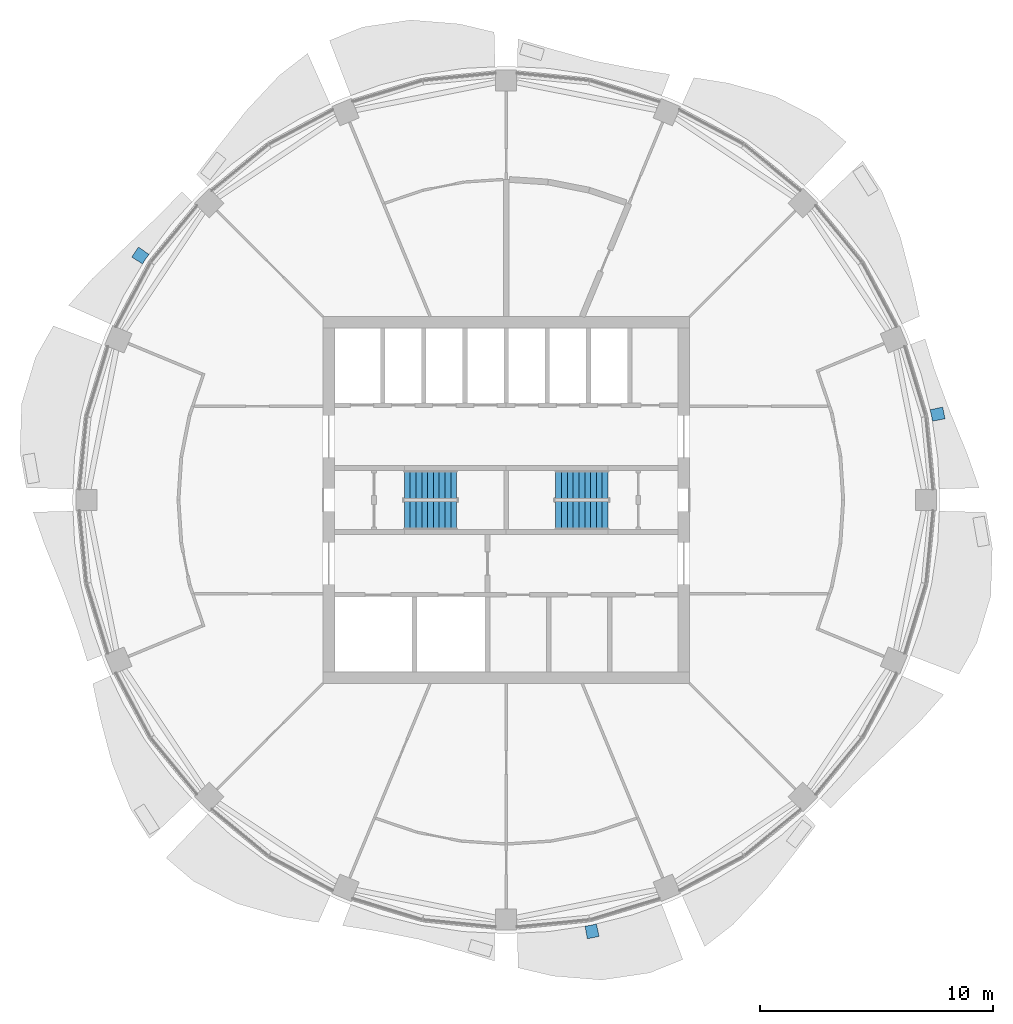
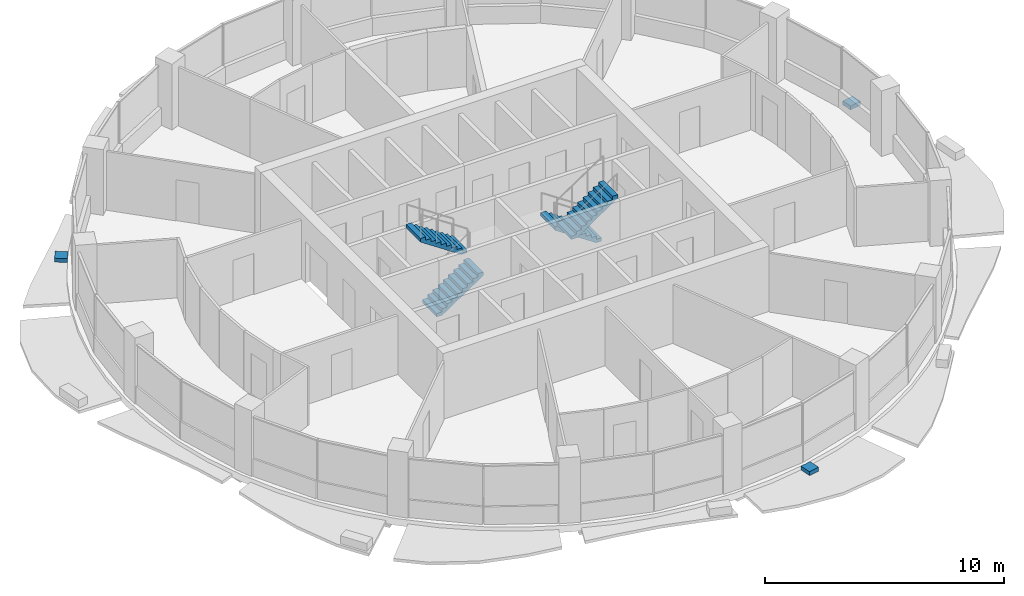
# One storey, part 11 of 15: 4 stair flights, 3 discrete accessories, 2 elements without a shape of their own.
"""IFC4 building model written with IfcOpenShell, lengths in metres."""

from ifc_helpers import new_model, si_unit, direction, frame, origin, place, context, subcontext, project, spatial, polyline, outline, extrude, material, type_object, element, aggregate, save


model = new_model("IFC4")

# Units and contexts
model_context = context("Model", 3, precision=1e-05, world=origin(), true_north=direction((0.0, 1.0)))
body_context = subcontext(model_context, "Body", "Model", "MODEL_VIEW")
ifc_project = project(units=[si_unit("LENGTHUNIT", "METRE"), si_unit("AREAUNIT", "SQUARE_METRE"), si_unit("VOLUMEUNIT", "CUBIC_METRE"), si_unit("PLANEANGLEUNIT", "RADIAN"), si_unit("MASSUNIT", "GRAM", prefix="KILO")], contexts=[model_context])

# Site, building, storey
site_placement = place(None, origin())
site = spatial("IfcSite", under=ifc_project, at=site_placement, CompositionType="ELEMENT")
building_placement = place(site_placement, origin())
building = spatial("IfcBuilding", under=site, at=building_placement, Name="Polderwave Tower", CompositionType="ELEMENT")
storey_placement = place(building_placement, frame((0.0, 0.0, 177.60009765625)))
storey = spatial("IfcBuildingStorey", under=building, at=storey_placement, Name="L47", CompositionType="ELEMENT", Elevation=177.60009765625)

# Stair, stair flights
ifc_material_1 = material(Name="Concrete C40/50", Category="concrete")
stair_type = type_object("IfcStairType", Name="Exit stair 1200 x 20 risers", PredefinedType="HALF_TURN_STAIR", material=ifc_material_1)
stair_1_placement = place(storey_placement, origin())
stair_1 = element("IfcStair", 1, at=stair_1_placement, inside=storey, type_object=stair_type, Name="L47 Exit stair A", PredefinedType="HALF_TURN_STAIR")
stair_flight_type = type_object("IfcStairFlightType", Name="Stair flight 1200", PredefinedType="STRAIGHT", material=ifc_material_1)
stair_flight_1_placement = place(storey_placement, frame((-4.3740234375, -0.675048828125, 0.0), z_axis=(0.0, 0.0, 1.0), x_axis=(1.0, 0.0, 0.0)))
stair_flight_1 = element("IfcStairFlight", 2, at=stair_flight_1_placement, type_object=stair_flight_type, Name="ST-A flight 1", NumberOfRisers=10, NumberOfTreads=9, PredefinedType="STRAIGHT", RiserHeight=0.1675, TreadLength=0.25, context=body_context, shape_type="SweptSolid", body=[
    extrude(outline(polyline([(0.0, 0.0), (0.0, 0.16748046875), (0.25, 0.16748046875), (0.25, 0.3349609375), (0.5, 0.3349609375), (0.5, 0.50244140625), (0.75, 0.50244140625), (0.75, 0.669921875), (1.0, 0.669921875), (1.0, 0.83740234375), (1.25, 0.83740234375), (1.25, 1.0048828125), (1.5, 1.0048828125), (1.5, 1.172607421875), (1.75, 1.172607421875), (1.75, 1.340087890625), (2.0, 1.340087890625), (2.0, 1.507568359375), (2.25, 1.507568359375), (2.25, 1.675048828125), (2.25, 1.3271484375), (0.269287109375, 0.0), (0.0, 0.0)])), frame((0.0, 0.60009765625, 0.0), z_axis=(0.0, -1.0, 0.0), x_axis=(1.0, 0.0, 0.0)), (0.0, 0.0, 1.0), 1.199951171875),
])
stair_flight_2_placement = place(storey_placement, frame((-2.1240234375, 0.675048828125, 1.6748046875), z_axis=(0.0, 0.0, 1.0), x_axis=(-1.0, 0.0, 0.0)))
stair_flight_2 = element("IfcStairFlight", 3, at=stair_flight_2_placement, type_object=stair_flight_type, Name="ST-A flight 2", NumberOfRisers=10, NumberOfTreads=9, PredefinedType="STRAIGHT", RiserHeight=0.1675, TreadLength=0.25, context=body_context, shape_type="SweptSolid", body=[
    extrude(outline(polyline([(0.0, 0.0), (0.0, 0.16748046875), (0.25, 0.16748046875), (0.25, 0.3349609375), (0.5, 0.3349609375), (0.5, 0.50244140625), (0.75, 0.50244140625), (0.75, 0.669921875), (1.0, 0.669921875), (1.0, 0.83740234375), (1.25, 0.83740234375), (1.25, 1.0048828125), (1.5, 1.0048828125), (1.5, 1.172607421875), (1.75, 1.172607421875), (1.75, 1.340087890625), (2.0, 1.340087890625), (2.0, 1.507568359375), (2.25, 1.507568359375), (2.25, 1.675048828125), (2.25, 1.3271484375), (0.269287109375, 0.0), (0.0, 0.0)])), frame((0.0, 0.60009765625, 0.0), z_axis=(0.0, -1.0, 0.0), x_axis=(1.0, 0.0, 0.0)), (0.0, 0.0, 1.0), 1.199951171875),
])
aggregate(stair_1, [stair_flight_1, stair_flight_2])

stair_2_placement = place(storey_placement, origin())
stair_2 = element("IfcStair", 4, at=stair_2_placement, inside=storey, type_object=stair_type, Name="L47 Exit stair B", PredefinedType="HALF_TURN_STAIR")
stair_flight_3_placement = place(storey_placement, frame((4.3740234375, 0.675048828125, 0.0), z_axis=(0.0, 0.0, 1.0), x_axis=(-1.0, 0.0, 0.0)))
stair_flight_3 = element("IfcStairFlight", 5, at=stair_flight_3_placement, type_object=stair_flight_type, Name="ST-B flight 1", NumberOfRisers=10, NumberOfTreads=9, PredefinedType="STRAIGHT", RiserHeight=0.1675, TreadLength=0.25, context=body_context, shape_type="SweptSolid", body=[
    extrude(outline(polyline([(0.0, 0.0), (0.0, 0.16748046875), (0.25, 0.16748046875), (0.25, 0.3349609375), (0.5, 0.3349609375), (0.5, 0.50244140625), (0.75, 0.50244140625), (0.75, 0.669921875), (1.0, 0.669921875), (1.0, 0.83740234375), (1.25, 0.83740234375), (1.25, 1.0048828125), (1.5, 1.0048828125), (1.5, 1.172607421875), (1.75, 1.172607421875), (1.75, 1.340087890625), (2.0, 1.340087890625), (2.0, 1.507568359375), (2.25, 1.507568359375), (2.25, 1.675048828125), (2.25, 1.3271484375), (0.269287109375, 0.0), (0.0, 0.0)])), frame((0.0, 0.60009765625, 0.0), z_axis=(0.0, -1.0, 0.0), x_axis=(1.0, 0.0, 0.0)), (0.0, 0.0, 1.0), 1.199951171875),
])
stair_flight_4_placement = place(storey_placement, frame((2.1240234375, -0.675048828125, 1.6748046875), z_axis=(0.0, 0.0, 1.0), x_axis=(1.0, 0.0, 0.0)))
stair_flight_4 = element("IfcStairFlight", 6, at=stair_flight_4_placement, type_object=stair_flight_type, Name="ST-B flight 2", NumberOfRisers=10, NumberOfTreads=9, PredefinedType="STRAIGHT", RiserHeight=0.1675, TreadLength=0.25, context=body_context, shape_type="SweptSolid", body=[
    extrude(outline(polyline([(0.0, 0.0), (0.0, 0.16748046875), (0.25, 0.16748046875), (0.25, 0.3349609375), (0.5, 0.3349609375), (0.5, 0.50244140625), (0.75, 0.50244140625), (0.75, 0.669921875), (1.0, 0.669921875), (1.0, 0.83740234375), (1.25, 0.83740234375), (1.25, 1.0048828125), (1.5, 1.0048828125), (1.5, 1.172607421875), (1.75, 1.172607421875), (1.75, 1.340087890625), (2.0, 1.340087890625), (2.0, 1.507568359375), (2.25, 1.507568359375), (2.25, 1.675048828125), (2.25, 1.3271484375), (0.269287109375, 0.0), (0.0, 0.0)])), frame((0.0, 0.60009765625, 0.0), z_axis=(0.0, -1.0, 0.0), x_axis=(1.0, 0.0, 0.0)), (0.0, 0.0, 1.0), 1.199951171875),
])
aggregate(stair_2, [stair_flight_3, stair_flight_4])

# Discrete accessories
ifc_material_2 = material(Name="Steel S355", Category="steel")
discrete_accessory_type = type_object("IfcDiscreteAccessoryType", Name="Band bracket pad", PredefinedType="BRACKET", material=ifc_material_2)
discrete_accessory_1_placement = place(storey_placement, frame((0.0, 0.0, -0.2001953125)))
element("IfcDiscreteAccessory", 7, at=discrete_accessory_1_placement, inside=storey, type_object=discrete_accessory_type, Name="Band bracket L47 1", PredefinedType="BRACKET", context=body_context, shape_type="SweptSolid", body=[
    extrude(outline(polyline([(18.298828125, 3.38525390625), (18.26220703125, 3.632568359375), (18.201416015625, 3.875), (18.739501953125, 3.989501953125), (18.839599609375, 3.4853515625), (18.298828125, 3.38525390625)])), origin(), (0.0, 0.0, 1.0), 0.2001953125),
])
discrete_accessory_2_placement = place(storey_placement, frame((0.0, 0.0, -0.2001953125)))
element("IfcDiscreteAccessory", 8, at=discrete_accessory_2_placement, inside=storey, type_object=discrete_accessory_type, Name="Band bracket L47 7", PredefinedType="BRACKET", context=body_context, shape_type="SweptSolid", body=[
    extrude(outline(polyline([(-15.3330078125, 10.54541015625), (-15.48193359375, 10.3447265625), (-15.610595703125, 10.13037109375), (-16.072021484375, 10.4296875), (-15.7861328125, 10.857177734375), (-15.3330078125, 10.54541015625)])), origin(), (0.0, 0.0, 1.0), 0.2001953125),
])
discrete_accessory_3_placement = place(storey_placement, frame((0.0, 0.0, -0.2001953125)))
element("IfcDiscreteAccessory", 9, at=discrete_accessory_3_placement, inside=storey, type_object=discrete_accessory_type, Name="Band bracket L47 13", PredefinedType="BRACKET", context=body_context, shape_type="SweptSolid", body=[
    extrude(outline(polyline([(3.38525390625, -18.298828125), (3.632568359375, -18.26220703125), (3.875, -18.201416015625), (3.989501953125, -18.739501953125), (3.4853515625, -18.839599609375), (3.38525390625, -18.298828125)])), origin(), (0.0, 0.0, 1.0), 0.2001953125),
])

save(model, "model.ifc")
